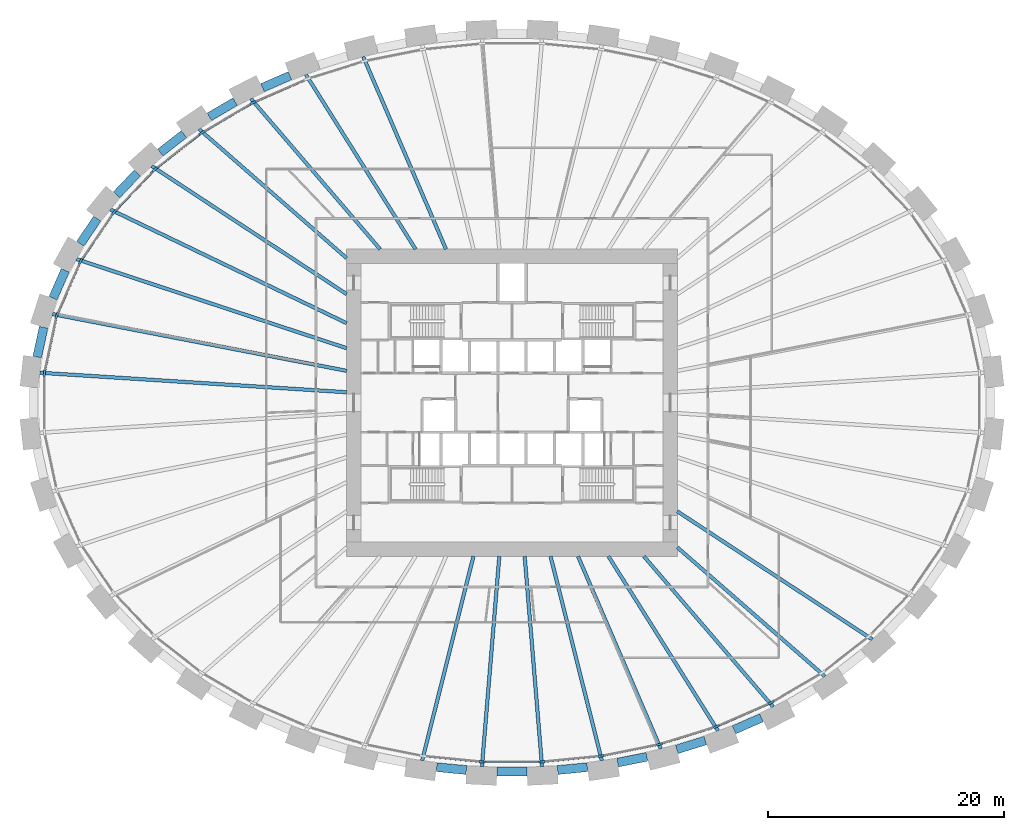
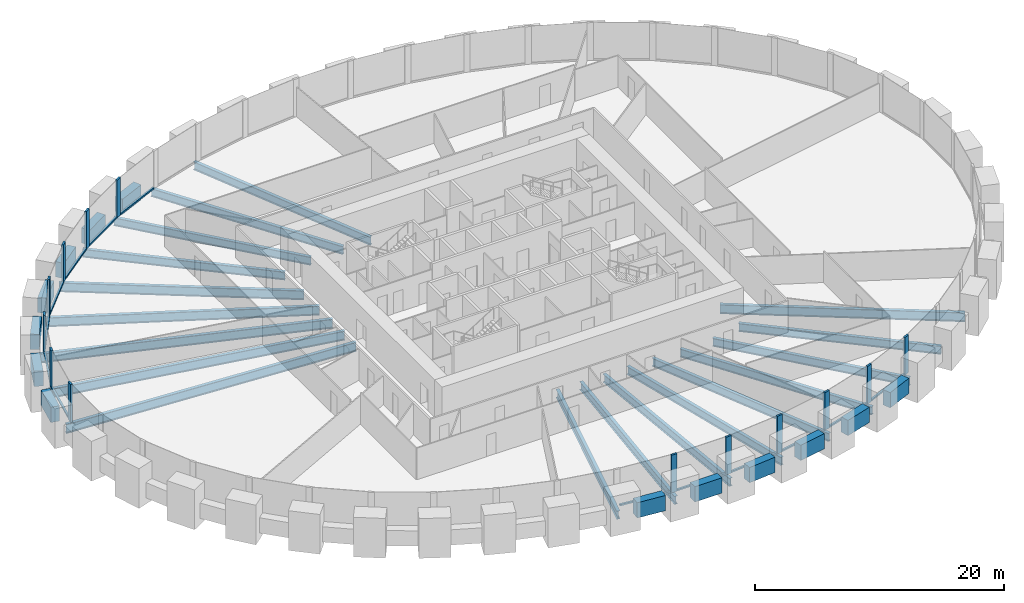
# One storey, part 2 of 11: 31 beams, 26 members, 1 element without a shape of its own.
"""IFC4 building model written with IfcOpenShell, lengths in metres."""

from ifc_helpers import new_model, si_unit, direction, frame, origin, origin_2d, place, context, subcontext, project, spatial, rectangle, i_section, extrude, source, transform, mapped, material, material_profile, profile_set, type_object, element, aggregate, save


model = new_model("IFC4")

# Units and contexts
model_context = context("Model", 3, precision=1e-05, world=origin(), true_north=direction((0.0, 1.0)))
body_context = subcontext(model_context, "Body", "Model", "MODEL_VIEW")
ifc_project = project(units=[si_unit("LENGTHUNIT", "METRE"), si_unit("AREAUNIT", "SQUARE_METRE"), si_unit("VOLUMEUNIT", "CUBIC_METRE"), si_unit("PLANEANGLEUNIT", "RADIAN"), si_unit("MASSUNIT", "GRAM", prefix="KILO")], contexts=[model_context])

# Site, building, storey
site_placement = place(None, origin())
site = spatial("IfcSite", under=ifc_project, at=site_placement, CompositionType="ELEMENT")
building_placement = place(site_placement, origin())
building = spatial("IfcBuilding", under=site, at=building_placement, Name="Embergate Tower", CompositionType="ELEMENT")
storey_placement = place(building_placement, frame((0.0, 0.0, 77.60009765625)))
storey = spatial("IfcBuildingStorey", under=building, at=storey_placement, Name="L15", CompositionType="ELEMENT", Elevation=77.60009765625)

# Beams
ifc_material_1 = material(Name="Concrete C70", Category="concrete")
ifc_material_profile_1 = material_profile(ifc_material_1, rectangle(XDim=0.75, YDim=1.5, at=origin_2d()), Name="RC 750x1500")
ifc_profile_set_1 = profile_set([ifc_material_profile_1], Name="Concrete C70")
beam_type_1 = type_object("IfcBeamType", Name="Spandrel beam RC 750x1500 C70", PredefinedType="BEAM", material=ifc_profile_set_1)
shared_shape_1 = source(origin(), body_context, "Body", "SweptSolid", [
    extrude(rectangle(XDim=0.75, YDim=1.5, at=origin_2d()), origin(), (0.0, 0.0, 1.0), 2.5498046875),
])
beam_1_placement = place(storey_placement, frame((-31.72509765625, 19.4541015625, 0.0), z_axis=(-0.689760361446, -0.724037736432, 0.0), x_axis=(0.724037736432, -0.689760361446, 0.0)))
element("IfcBeam", 1, at=beam_1_placement, inside=storey, type_object=beam_type_1, Name="SPN-L15-17", PredefinedType="BEAM", context=body_context, shape_type="MappedRepresentation", body=[
    mapped(shared_shape_1, transform((0.0, 0.0, 0.0))),
])
shared_shape_2 = source(origin(), body_context, "Body", "SweptSolid", [
    extrude(rectangle(XDim=0.75, YDim=1.5, at=origin_2d()), origin(), (0.0, 0.0, 1.0), 2.5693359375),
])
beam_2_placement = place(storey_placement, frame((-39.662109375, 6.383056640625, 0.0), z_axis=(-0.210093623492, -0.977681271871, 0.0), x_axis=(0.977681271871, -0.210093623492, 0.0)))
element("IfcBeam", 2, at=beam_2_placement, inside=storey, type_object=beam_type_1, Name="SPN-L15-20", PredefinedType="BEAM", context=body_context, shape_type="MappedRepresentation", body=[
    mapped(shared_shape_2, transform((0.0, 0.0, 0.0))),
])
shared_shape_3 = source(origin(), body_context, "Body", "SweptSolid", [
    extrude(rectangle(XDim=0.75, YDim=1.5, at=origin_2d()), origin(), (0.0, 0.0, 1.0), 2.56591796875),
])
beam_3_placement = place(storey_placement, frame((-37.83203125, 11.20703125, 0.0), z_axis=(-0.401427690069, -0.915890719271, 0.0), x_axis=(0.915890719271, -0.401427690069, 0.0)))
element("IfcBeam", 3, at=beam_3_placement, inside=storey, type_object=beam_type_1, Name="SPN-L15-19", PredefinedType="BEAM", context=body_context, shape_type="MappedRepresentation", body=[
    mapped(shared_shape_3, transform((0.0, 0.0, 0.0))),
])
shared_shape_4 = source(origin(), body_context, "Body", "SweptSolid", [
    extrude(rectangle(XDim=0.75, YDim=1.5, at=origin_2d()), origin(), (0.0, 0.0, 1.0), 2.556640625),
])
beam_4_placement = place(storey_placement, frame((-35.117919921875, 15.5859375, 0.0), z_axis=(-0.562432772417, -0.826843018058, 0.0), x_axis=(0.826843018058, -0.562432772417, 0.0)))
element("IfcBeam", 4, at=beam_4_placement, inside=storey, type_object=beam_type_1, Name="SPN-L15-18", PredefinedType="BEAM", context=body_context, shape_type="MappedRepresentation", body=[
    mapped(shared_shape_4, transform((0.0, 0.0, 0.0))),
])
shared_shape_5 = source(origin(), body_context, "Body", "SweptSolid", [
    extrude(rectangle(XDim=0.75, YDim=1.5, at=origin_2d()), origin(), (0.0, 0.0, 1.0), 2.542724609375),
])
beam_5_placement = place(storey_placement, frame((-27.779052734375, 22.748046875, 0.0), z_axis=(-0.788472504965, -0.615070003264, 0.0), x_axis=(0.615070003264, -0.788472504965, 0.0)))
element("IfcBeam", 5, at=beam_5_placement, inside=storey, type_object=beam_type_1, Name="SPN-L15-16", PredefinedType="BEAM", context=body_context, shape_type="MappedRepresentation", body=[
    mapped(shared_shape_5, transform((0.0, 0.0, 0.0))),
])
shared_shape_6 = source(origin(), body_context, "Body", "SweptSolid", [
    extrude(rectangle(XDim=0.75, YDim=1.5, at=origin_2d()), origin(), (0.0, 0.0, 1.0), 2.537109375),
])
beam_6_placement = place(storey_placement, frame((-23.44189453125, 25.49609375, 0.0), z_axis=(-0.861993577549, -0.506919196978, 0.0), x_axis=(0.506919196978, -0.861993577549, 0.0)))
element("IfcBeam", 6, at=beam_6_placement, inside=storey, type_object=beam_type_1, Name="SPN-L15-15", PredefinedType="BEAM", context=body_context, shape_type="MappedRepresentation", body=[
    mapped(shared_shape_6, transform((0.0, 0.0, 0.0))),
])
shared_shape_7 = source(origin(), body_context, "Body", "SweptSolid", [
    extrude(rectangle(XDim=0.75, YDim=1.5, at=origin_2d()), origin(), (0.0, 0.0, 1.0), 2.53466796875),
])
for number, where, z_axis, x_axis, name in (
    (7, (-18.803955078125, 27.694091796875, 0.0), (-0.91612417153, -0.400894627474, 0.0), (0.400894627474, -0.91612417153, 0.0), "SPN-L15-14"),
    (8, (18.803955078125, -27.694091796875, 0.0), (0.91612417153, 0.400894627474, 0.0), (-0.400894627474, 0.91612417153, 0.0), "SPN-L15-36"),
):
    element("IfcBeam", number, at=place(storey_placement, frame(where, z_axis=z_axis, x_axis=x_axis)), inside=storey, type_object=beam_type_1, Name=name, PredefinedType="BEAM", context=body_context, shape_type="MappedRepresentation", body=[
        mapped(shared_shape_7, transform((0.0, 0.0, 0.0))),
    ])
shared_shape_8 = source(origin(), body_context, "Body", "SweptSolid", [
    extrude(rectangle(XDim=0.75, YDim=1.5, at=origin_2d()), origin(), (0.0, 0.0, 1.0), 2.5322265625),
])
beam_7_placement = place(storey_placement, frame((13.949951171875, -29.35498046875, 0.0), z_axis=(0.954890803875, 0.296957156294, 0.0), x_axis=(-0.296957156294, 0.954890803875, 0.0)))
element("IfcBeam", 9, at=beam_7_placement, inside=storey, type_object=beam_type_1, Name="SPN-L15-35", PredefinedType="BEAM", context=body_context, shape_type="MappedRepresentation", body=[
    mapped(shared_shape_8, transform((0.0, 0.0, 0.0))),
])
shared_shape_9 = source(origin(), body_context, "Body", "SweptSolid", [
    extrude(rectangle(XDim=0.75, YDim=1.5, at=origin_2d()), origin(), (0.0, 0.0, 1.0), 2.5283203125),
])
beam_8_placement = place(storey_placement, frame((8.947021484375, -30.47607421875, 0.0), z_axis=(0.980483995477, 0.19659891814, 0.0), x_axis=(-0.19659891814, 0.980483995477, 0.0)))
element("IfcBeam", 10, at=beam_8_placement, inside=storey, type_object=beam_type_1, Name="SPN-L15-34", PredefinedType="BEAM", context=body_context, shape_type="MappedRepresentation", body=[
    mapped(shared_shape_9, transform((0.0, 0.0, 0.0))),
])
shared_shape_10 = source(origin(), body_context, "Body", "SweptSolid", [
    extrude(rectangle(XDim=0.75, YDim=1.5, at=origin_2d()), origin(), (0.0, 0.0, 1.0), 2.52685546875),
])
for number, where, z_axis, x_axis, name in (
    (11, (-6.3759765625, -30.860107421875, 0.0), (0.995218218031, -0.097676499217, 0.0), (0.097676499217, 0.995218218031, 0.0), "SPN-L15-31"),
    (12, (3.861083984375, -31.10693359375, 0.0), (0.995218218031, 0.097676499217, 0.0), (-0.097676499217, 0.995218218031, 0.0), "SPN-L15-33"),
):
    element("IfcBeam", number, at=place(storey_placement, frame(where, z_axis=z_axis, x_axis=x_axis)), inside=storey, type_object=beam_type_1, Name=name, PredefinedType="BEAM", context=body_context, shape_type="MappedRepresentation", body=[
        mapped(shared_shape_10, transform((0.0, 0.0, 0.0))),
    ])
shared_shape_11 = source(origin(), body_context, "Body", "SweptSolid", [
    extrude(rectangle(XDim=0.75, YDim=1.5, at=origin_2d()), origin(), (0.0, 0.0, 1.0), 2.52783203125),
])
beam_9_placement = place(storey_placement, frame((-1.263916015625, -31.23388671875, 0.0), z_axis=(1.0, 0.0, 0.0), x_axis=(0.0, 1.0, 0.0)))
element("IfcBeam", 13, at=beam_9_placement, inside=storey, type_object=beam_type_1, Name="SPN-L15-32", PredefinedType="BEAM", context=body_context, shape_type="MappedRepresentation", body=[
    mapped(shared_shape_11, transform((0.0, 0.0, 0.0))),
])
ifc_material_2 = material(Name="Steel Q355B", Category="steel")
ifc_material_profile_2 = material_profile(ifc_material_2, i_section(OverallWidth=0.300048828125, OverallDepth=0.89990234375, WebThickness=0.01611328125, FlangeThickness=0.028076171875, FilletRadius=0.028076171875, at=origin_2d()), Name="HN 900x300x16x28")
ifc_profile_set_2 = profile_set([ifc_material_profile_2], Name="Steel Q355 grade B")
beam_type_2 = type_object("IfcBeamType", Name="Radial girder HN 900x300x16x28", PredefinedType="BEAM", material=ifc_profile_set_2)
shared_shape_12 = source(origin(), body_context, "Body", "SweptSolid", [
    extrude(i_section(OverallWidth=0.300048828125, OverallDepth=0.89990234375, WebThickness=0.01611328125, FlangeThickness=0.028076171875, FilletRadius=0.028076171875, at=origin_2d()), origin(), (0.0, 0.0, 1.0), 26.034423828125),
])
beam_10_placement = place(storey_placement, frame((-39.98193359375, 2.5400390625, -0.650146484375), z_axis=(0.997986864702, -0.063420957753, 0.0), x_axis=(0.063420957753, 0.997986864702, 0.0)))
element("IfcBeam", 14, at=beam_10_placement, inside=storey, type_object=beam_type_2, Name="GIR-L15-21", PredefinedType="BEAM", context=body_context, shape_type="MappedRepresentation", body=[
    mapped(shared_shape_12, transform((0.0, 0.0, 0.0))),
])
shared_shape_13 = source(origin(), body_context, "Body", "SweptSolid", [
    extrude(i_section(OverallWidth=0.300048828125, OverallDepth=0.89990234375, WebThickness=0.01611328125, FlangeThickness=0.028076171875, FilletRadius=0.028076171875, at=origin_2d()), origin(), (0.0, 0.0, 1.0), 25.373291015625),
])
beam_11_placement = place(storey_placement, frame((-38.9140625, 7.507080078125, -0.650146484375), z_axis=(0.981896748495, -0.189416935078, 0.0), x_axis=(0.189416935078, 0.981896748495, 0.0)))
element("IfcBeam", 15, at=beam_11_placement, inside=storey, type_object=beam_type_2, Name="GIR-L15-20", PredefinedType="BEAM", context=body_context, shape_type="MappedRepresentation", body=[
    mapped(shared_shape_13, transform((0.0, 0.0, 0.0))),
])
shared_shape_14 = source(origin(), body_context, "Body", "SweptSolid", [
    extrude(i_section(OverallWidth=0.300048828125, OverallDepth=0.89990234375, WebThickness=0.01611328125, FlangeThickness=0.028076171875, FilletRadius=0.028076171875, at=origin_2d()), origin(), (0.0, 0.0, 1.0), 24.0849609375),
])
beam_12_placement = place(storey_placement, frame((-36.873046875, 12.160888671875, -0.650146484375), z_axis=(0.949680038857, -0.313221684748, 0.0), x_axis=(0.313221684748, 0.949680038857, 0.0)))
element("IfcBeam", 16, at=beam_12_placement, inside=storey, type_object=beam_type_2, Name="GIR-L15-19", PredefinedType="BEAM", context=body_context, shape_type="MappedRepresentation", body=[
    mapped(shared_shape_14, transform((0.0, 0.0, 0.0))),
])
shared_shape_15 = source(origin(), body_context, "Body", "SweptSolid", [
    extrude(i_section(OverallWidth=0.300048828125, OverallDepth=0.89990234375, WebThickness=0.01611328125, FlangeThickness=0.028076171875, FilletRadius=0.028076171875, at=origin_2d()), origin(), (0.0, 0.0, 1.0), 22.210693359375),
])
beam_13_placement = place(storey_placement, frame((-34.014892578125, 16.364013671875, -0.650146484375), z_axis=(0.90114054222, -0.433527073165, 0.0), x_axis=(0.433527073165, 0.90114054222, 0.0)))
element("IfcBeam", 17, at=beam_13_placement, inside=storey, type_object=beam_type_2, Name="GIR-L15-18", PredefinedType="BEAM", context=body_context, shape_type="MappedRepresentation", body=[
    mapped(shared_shape_15, transform((0.0, 0.0, 0.0))),
])
shared_shape_16 = source(origin(), body_context, "Body", "SweptSolid", [
    extrude(i_section(OverallWidth=0.300048828125, OverallDepth=0.89990234375, WebThickness=0.01611328125, FlangeThickness=0.028076171875, FilletRadius=0.028076171875, at=origin_2d()), origin(), (0.0, 0.0, 1.0), 19.75),
])
for number, where, z_axis, x_axis, name in (
    (18, (-30.506103515625, 20.04296875, -0.650146484375), (0.835749566876, -0.549110791614, 0.0), (0.549110791614, 0.835749566876, 0.0), "GIR-L15-17"),
    (19, (30.506103515625, -20.04296875, -0.650146484375), (-0.835749566876, 0.549110791614, 0.0), (-0.549110791614, -0.835749566876, 0.0), "GIR-L15-39"),
):
    element("IfcBeam", number, at=place(storey_placement, frame(where, z_axis=z_axis, x_axis=x_axis)), inside=storey, type_object=beam_type_2, Name=name, PredefinedType="BEAM", context=body_context, shape_type="MappedRepresentation", body=[
        mapped(shared_shape_16, transform((0.0, 0.0, 0.0))),
    ])
ifc_material_profile_3 = material_profile(ifc_material_2, i_section(OverallWidth=0.300048828125, OverallDepth=0.800048828125, WebThickness=0.013916015625, FlangeThickness=0.02587890625, FilletRadius=0.028076171875, at=origin_2d()), Name="HN 800x300x14x26")
ifc_profile_set_3 = profile_set([ifc_material_profile_3], Name="Steel Q355 grade B")
beam_type_3 = type_object("IfcBeamType", Name="Radial girder HN 800x300x14x26", PredefinedType="BEAM", material=ifc_profile_set_3)
shared_shape_17 = source(origin(), body_context, "Body", "SweptSolid", [
    extrude(i_section(OverallWidth=0.300048828125, OverallDepth=0.800048828125, WebThickness=0.013916015625, FlangeThickness=0.02587890625, FilletRadius=0.028076171875, at=origin_2d()), origin(), (0.0, 0.0, 1.0), 16.60205078125),
])
for number, where, z_axis, x_axis, name in (
    (20, (-26.4970703125, 23.172119140625, -0.60009765625), (0.752747930404, -0.65830885857, 0.0), (0.65830885857, 0.752747930404, 0.0), "GIR-L15-16"),
    (21, (26.4970703125, -23.172119140625, -0.60009765625), (-0.752747930404, 0.65830885857, 0.0), (-0.65830885857, -0.752747930404, 0.0), "GIR-L15-38"),
):
    element("IfcBeam", number, at=place(storey_placement, frame(where, z_axis=z_axis, x_axis=x_axis)), inside=storey, type_object=beam_type_3, Name=name, PredefinedType="BEAM", context=body_context, shape_type="MappedRepresentation", body=[
        mapped(shared_shape_17, transform((0.0, 0.0, 0.0))),
    ])
shared_shape_18 = source(origin(), body_context, "Body", "SweptSolid", [
    extrude(i_section(OverallWidth=0.300048828125, OverallDepth=0.800048828125, WebThickness=0.013916015625, FlangeThickness=0.02587890625, FilletRadius=0.028076171875, at=origin_2d()), origin(), (0.0, 0.0, 1.0), 16.805908203125),
])
for number, where, z_axis, x_axis, name in (
    (22, (-22.113037109375, 25.75, -0.60009765625), (0.651490955051, -0.758656401467, 0.0), (0.758656401467, 0.651490955051, 0.0), "GIR-L15-15"),
    (23, (22.113037109375, -25.75, -0.60009765625), (-0.651490955051, 0.758656401467, 0.0), (-0.758656401467, -0.651490955051, 0.0), "GIR-L15-37"),
):
    element("IfcBeam", number, at=place(storey_placement, frame(where, z_axis=z_axis, x_axis=x_axis)), inside=storey, type_object=beam_type_3, Name=name, PredefinedType="BEAM", context=body_context, shape_type="MappedRepresentation", body=[
        mapped(shared_shape_18, transform((0.0, 0.0, 0.0))),
    ])
shared_shape_19 = source(origin(), body_context, "Body", "SweptSolid", [
    extrude(i_section(OverallWidth=0.300048828125, OverallDepth=0.800048828125, WebThickness=0.013916015625, FlangeThickness=0.02587890625, FilletRadius=0.028076171875, at=origin_2d()), origin(), (0.0, 0.0, 1.0), 17.463623046875),
])
for number, where, z_axis, x_axis, name in (
    (24, (-17.451904296875, 27.7890625, -0.60009765625), (0.531837384954, -0.846846500828, 0.0), (0.846846500828, 0.531837384954, 0.0), "GIR-L15-14"),
    (25, (17.451904296875, -27.7890625, -0.60009765625), (-0.531837384954, 0.846846500828, 0.0), (-0.846846500828, -0.531837384954, 0.0), "GIR-L15-36"),
):
    element("IfcBeam", number, at=place(storey_placement, frame(where, z_axis=z_axis, x_axis=x_axis)), inside=storey, type_object=beam_type_3, Name=name, PredefinedType="BEAM", context=body_context, shape_type="MappedRepresentation", body=[
        mapped(shared_shape_19, transform((0.0, 0.0, 0.0))),
    ])
shared_shape_20 = source(origin(), body_context, "Body", "SweptSolid", [
    extrude(i_section(OverallWidth=0.300048828125, OverallDepth=0.800048828125, WebThickness=0.013916015625, FlangeThickness=0.02587890625, FilletRadius=0.028076171875, at=origin_2d()), origin(), (0.0, 0.0, 1.0), 17.7431640625),
])
for number, where, z_axis, x_axis, name in (
    (26, (-12.594970703125, 29.301025390625, -0.60009765625), (0.394915454917, -0.918717466617, 0.0), (0.918717466617, 0.394915454917, 0.0), "GIR-L15-13"),
    (27, (12.594970703125, -29.301025390625, -0.60009765625), (-0.394915454917, 0.918717466617, 0.0), (-0.918717466617, -0.394915454917, 0.0), "GIR-L15-35"),
):
    element("IfcBeam", number, at=place(storey_placement, frame(where, z_axis=z_axis, x_axis=x_axis)), inside=storey, type_object=beam_type_3, Name=name, PredefinedType="BEAM", context=body_context, shape_type="MappedRepresentation", body=[
        mapped(shared_shape_20, transform((0.0, 0.0, 0.0))),
    ])
shared_shape_21 = source(origin(), body_context, "Body", "SweptSolid", [
    extrude(i_section(OverallWidth=0.300048828125, OverallDepth=0.800048828125, WebThickness=0.013916015625, FlangeThickness=0.02587890625, FilletRadius=0.028076171875, at=origin_2d()), origin(), (0.0, 0.0, 1.0), 17.837890625),
])
for number, where, z_axis, x_axis, name in (
    (28, (-7.60693359375, -30.301025390625, -0.60009765625), (0.243472648056, 0.969907763475, 0.0), (-0.969907763475, 0.243472648056, 0.0), "GIR-L15-31"),
    (29, (7.60693359375, -30.301025390625, -0.60009765625), (-0.243472648056, 0.969907763475, 0.0), (-0.969907763475, -0.243472648056, 0.0), "GIR-L15-34"),
):
    element("IfcBeam", number, at=place(storey_placement, frame(where, z_axis=z_axis, x_axis=x_axis)), inside=storey, type_object=beam_type_3, Name=name, PredefinedType="BEAM", context=body_context, shape_type="MappedRepresentation", body=[
        mapped(shared_shape_21, transform((0.0, 0.0, 0.0))),
    ])
shared_shape_22 = source(origin(), body_context, "Body", "SweptSolid", [
    extrude(i_section(OverallWidth=0.300048828125, OverallDepth=0.800048828125, WebThickness=0.013916015625, FlangeThickness=0.02587890625, FilletRadius=0.028076171875, at=origin_2d()), origin(), (0.0, 0.0, 1.0), 17.859619140625),
])
for number, where, z_axis, x_axis, name in (
    (30, (-2.5439453125, -30.799072265625, -0.60009765625), (0.082306714571, 0.996607046301, 0.0), (-0.996607046301, 0.082306714571, 0.0), "GIR-L15-32"),
    (31, (2.5439453125, -30.799072265625, -0.60009765625), (-0.082306714571, 0.996607046301, 0.0), (-0.996607046301, -0.082306714571, 0.0), "GIR-L15-33"),
):
    element("IfcBeam", number, at=place(storey_placement, frame(where, z_axis=z_axis, x_axis=x_axis)), inside=storey, type_object=beam_type_3, Name=name, PredefinedType="BEAM", context=body_context, shape_type="MappedRepresentation", body=[
        mapped(shared_shape_22, transform((0.0, 0.0, 0.0))),
    ])

# Curtain wall, members
ifc_material_3 = material(Name="Aluminium and glass", Category="aluminium")
curtain_wall_type = type_object("IfcCurtainWallType", Name="Recessed office glazing", PredefinedType="NOTDEFINED", material=ifc_material_3)
curtain_wall_placement = place(storey_placement, origin())
curtain_wall = element("IfcCurtainWall", 32, at=curtain_wall_placement, inside=storey, type_object=curtain_wall_type, Name="Recessed office glazing ring", ObjectType="RECESSED OFFICE GLAZING", PredefinedType="USERDEFINED")
ifc_material_4 = material(Name="Aluminium, thermally broken", Category="aluminium")
ifc_material_profile_4 = material_profile(ifc_material_4, rectangle(XDim=0.179931640625, YDim=0.52001953125, at=origin_2d()), Name="AL 520x180")
ifc_profile_set_4 = profile_set([ifc_material_profile_4], Name="Aluminium, thermally broken")
member_type_1 = type_object("IfcMemberType", Name="Office mullion", PredefinedType="MULLION", material=ifc_profile_set_4)
shared_shape_23 = source(origin(), body_context, "Body", "SweptSolid", [
    extrude(rectangle(XDim=0.179931640625, YDim=0.52001953125, at=origin_2d()), origin(), (0.0, 0.0, 1.0), 3.699951171875),
])
member_1_placement = place(storey_placement, frame((-21.935791015625, 25.402587890625, 0.0), z_axis=(0.0, 0.0, 1.0), x_axis=(0.454516044429, -0.890738550506, 0.0)))
member_1 = element("IfcMember", 33, at=member_1_placement, type_object=member_type_1, Name="CW mullion 16", PredefinedType="MULLION", context=body_context, shape_type="MappedRepresentation", body=[
    mapped(shared_shape_23, transform((0.0, 0.0, 0.0))),
])
member_2_placement = place(storey_placement, frame((-26.278564453125, 22.849365234375, 0.0), z_axis=(0.0, 0.0, 1.0), x_axis=(0.562223392005, -0.826985403428, 0.0)))
member_2 = element("IfcMember", 34, at=member_2_placement, type_object=member_type_1, Name="CW mullion 17", PredefinedType="MULLION", context=body_context, shape_type="MappedRepresentation", body=[
    mapped(shared_shape_23, transform((0.0, 0.0, 0.0))),
])
member_3_placement = place(storey_placement, frame((-30.2451171875, 19.75341796875, 0.0), z_axis=(0.0, 0.0, 1.0), x_axis=(0.671234296295, -0.74124524921, 0.0)))
member_3 = element("IfcMember", 35, at=member_3_placement, type_object=member_type_1, Name="CW mullion 18", PredefinedType="MULLION", context=body_context, shape_type="MappedRepresentation", body=[
    mapped(shared_shape_23, transform((0.0, 0.0, 0.0))),
])
member_4_placement = place(storey_placement, frame((-33.712158203125, 16.11767578125, 0.0), z_axis=(0.0, 0.0, 1.0), x_axis=(0.777880241921, -0.628412547002, 0.0)))
member_4 = element("IfcMember", 36, at=member_4_placement, type_object=member_type_1, Name="CW mullion 19", PredefinedType="MULLION", context=body_context, shape_type="MappedRepresentation", body=[
    mapped(shared_shape_23, transform((0.0, 0.0, 0.0))),
])
member_5_placement = place(storey_placement, frame((-36.532470703125, 11.970458984375, 0.0), z_axis=(0.0, 0.0, 1.0), x_axis=(0.875007810402, -0.484108801547, 0.0)))
member_5 = element("IfcMember", 37, at=member_5_placement, type_object=member_type_1, Name="CW mullion 20", PredefinedType="MULLION", context=body_context, shape_type="MappedRepresentation", body=[
    mapped(shared_shape_23, transform((0.0, 0.0, 0.0))),
])
member_6_placement = place(storey_placement, frame((-38.543212890625, 7.3857421875, 0.0), z_axis=(0.0, 0.0, 1.0), x_axis=(0.951501019702, -0.307645590748, 0.0)))
member_6 = element("IfcMember", 38, at=member_6_placement, type_object=member_type_1, Name="CW mullion 21", PredefinedType="MULLION", context=body_context, shape_type="MappedRepresentation", body=[
    mapped(shared_shape_23, transform((0.0, 0.0, 0.0))),
])
member_7_placement = place(storey_placement, frame((-39.59521484375, 2.498291015625, 0.0), z_axis=(0.0, 0.0, 1.0), x_axis=(0.994385324123, -0.105819786286, 0.0)))
member_7 = element("IfcMember", 39, at=member_7_placement, type_object=member_type_1, Name="CW mullion 22", PredefinedType="MULLION", context=body_context, shape_type="MappedRepresentation", body=[
    mapped(shared_shape_23, transform((0.0, 0.0, 0.0))),
])
member_8_placement = place(storey_placement, frame((-2.524658203125, -30.409423828125, 0.0), z_axis=(0.0, 0.0, 1.0), x_axis=(0.048971796621, 0.998800161762, 0.0)))
member_8 = element("IfcMember", 40, at=member_8_placement, type_object=member_type_1, Name="CW mullion 33", PredefinedType="MULLION", context=body_context, shape_type="MappedRepresentation", body=[
    mapped(shared_shape_23, transform((0.0, 0.0, 0.0))),
])
member_9_placement = place(storey_placement, frame((2.524658203125, -30.409423828125, 0.0), z_axis=(0.0, 0.0, 1.0), x_axis=(-0.048971796621, 0.998800161762, 0.0)))
member_9 = element("IfcMember", 41, at=member_9_placement, type_object=member_type_1, Name="CW mullion 34", PredefinedType="MULLION", context=body_context, shape_type="MappedRepresentation", body=[
    mapped(shared_shape_23, transform((0.0, 0.0, 0.0))),
])
member_10_placement = place(storey_placement, frame((7.549560546875, -29.915283203125, 0.0), z_axis=(0.0, 0.0, 1.0), x_axis=(-0.14741410908, 0.98907486089, 0.0)))
member_10 = element("IfcMember", 42, at=member_10_placement, type_object=member_type_1, Name="CW mullion 35", PredefinedType="MULLION", context=body_context, shape_type="MappedRepresentation", body=[
    mapped(shared_shape_23, transform((0.0, 0.0, 0.0))),
])
member_11_placement = place(storey_placement, frame((12.498779296875, -28.9228515625, 0.0), z_axis=(0.0, 0.0, 1.0), x_axis=(-0.247315263593, 0.968935065107, 0.0)))
member_11 = element("IfcMember", 43, at=member_11_placement, type_object=member_type_1, Name="CW mullion 36", PredefinedType="MULLION", context=body_context, shape_type="MappedRepresentation", body=[
    mapped(shared_shape_23, transform((0.0, 0.0, 0.0))),
])
member_12_placement = place(storey_placement, frame((17.31591796875, -27.422607421875, 0.0), z_axis=(0.0, 0.0, 1.0), x_axis=(-0.349507588628, 0.936933533124, 0.0)))
member_12 = element("IfcMember", 44, at=member_12_placement, type_object=member_type_1, Name="CW mullion 37", PredefinedType="MULLION", context=body_context, shape_type="MappedRepresentation", body=[
    mapped(shared_shape_23, transform((0.0, 0.0, 0.0))),
])
member_13_placement = place(storey_placement, frame((21.935791015625, -25.402587890625, 0.0), z_axis=(0.0, 0.0, 1.0), x_axis=(-0.454516044429, 0.890738550506, 0.0)))
member_13 = element("IfcMember", 45, at=member_13_placement, type_object=member_type_1, Name="CW mullion 38", PredefinedType="MULLION", context=body_context, shape_type="MappedRepresentation", body=[
    mapped(shared_shape_23, transform((0.0, 0.0, 0.0))),
])
ifc_material_profile_5 = material_profile(ifc_material_4, rectangle(XDim=0.179931640625, YDim=0.14990234375, at=origin_2d()), Name="AL 150x180")
ifc_profile_set_5 = profile_set([ifc_material_profile_5], Name="Aluminium, thermally broken")
member_type_2 = type_object("IfcMemberType", Name="Office sill transom", PredefinedType="USERDEFINED", material=ifc_profile_set_5)
shared_shape_24 = source(origin(), body_context, "Body", "SweptSolid", [
    extrude(rectangle(XDim=0.179931640625, YDim=0.14990234375, at=origin_2d()), origin(), (0.0, 0.0, 1.0), 4.50390625),
])
member_14_placement = place(storey_placement, frame((-30.42431640625, 19.565185546875, 0.074951171875), z_axis=(-0.69015852771, -0.723658211194, 0.0), x_axis=(0.723658211194, -0.69015852771, 0.0)))
member_14 = element("IfcMember", 46, at=member_14_placement, type_object=member_type_2, Name="CW transom 18.1", ObjectType="TRANSOM", PredefinedType="USERDEFINED", context=body_context, shape_type="MappedRepresentation", body=[
    mapped(shared_shape_24, transform((0.0, 0.0, 0.0))),
])
shared_shape_25 = source(origin(), body_context, "Body", "SweptSolid", [
    extrude(rectangle(XDim=0.179931640625, YDim=0.14990234375, at=origin_2d()), origin(), (0.0, 0.0, 1.0), 4.4794921875),
])
member_15_placement = place(storey_placement, frame((-38.597900390625, 7.131591796875, 0.074951171875), z_axis=(-0.210381382065, -0.977619391216, 0.0), x_axis=(0.977619391216, -0.210381382065, 0.0)))
member_15 = element("IfcMember", 47, at=member_15_placement, type_object=member_type_2, Name="CW transom 21.1", ObjectType="TRANSOM", PredefinedType="USERDEFINED", context=body_context, shape_type="MappedRepresentation", body=[
    mapped(shared_shape_25, transform((0.0, 0.0, 0.0))),
])
shared_shape_26 = source(origin(), body_context, "Body", "SweptSolid", [
    extrude(rectangle(XDim=0.179931640625, YDim=0.14990234375, at=origin_2d()), origin(), (0.0, 0.0, 1.0), 4.486328125),
])
member_16_placement = place(storey_placement, frame((-36.636962890625, 11.732421875, 0.074951171875), z_axis=(-0.401655089719, -0.915791018138, 0.0), x_axis=(0.915791018138, -0.401655089719, 0.0)))
member_16 = element("IfcMember", 48, at=member_16_placement, type_object=member_type_2, Name="CW transom 20.1", ObjectType="TRANSOM", PredefinedType="USERDEFINED", context=body_context, shape_type="MappedRepresentation", body=[
    mapped(shared_shape_26, transform((0.0, 0.0, 0.0))),
])
shared_shape_27 = source(origin(), body_context, "Body", "SweptSolid", [
    extrude(rectangle(XDim=0.179931640625, YDim=0.14990234375, at=origin_2d()), origin(), (0.0, 0.0, 1.0), 4.4951171875),
])
member_17_placement = place(storey_placement, frame((-33.8583984375, 15.902587890625, 0.074951171875), z_axis=(-0.562347159837, -0.826901246718, 0.0), x_axis=(0.826901246718, -0.562347159837, 0.0)))
member_17 = element("IfcMember", 49, at=member_17_placement, type_object=member_type_2, Name="CW transom 19.1", ObjectType="TRANSOM", PredefinedType="USERDEFINED", context=body_context, shape_type="MappedRepresentation", body=[
    mapped(shared_shape_27, transform((0.0, 0.0, 0.0))),
])
shared_shape_28 = source(origin(), body_context, "Body", "SweptSolid", [
    extrude(rectangle(XDim=0.179931640625, YDim=0.14990234375, at=origin_2d()), origin(), (0.0, 0.0, 1.0), 4.511474609375),
])
member_18_placement = place(storey_placement, frame((-26.4833984375, 22.689208984375, 0.074951171875), z_axis=(-0.788345870827, -0.615232304052, 0.0), x_axis=(0.615232304052, -0.788345870827, 0.0)))
member_18 = element("IfcMember", 50, at=member_18_placement, type_object=member_type_2, Name="CW transom 17.1", ObjectType="TRANSOM", PredefinedType="USERDEFINED", context=body_context, shape_type="MappedRepresentation", body=[
    mapped(shared_shape_28, transform((0.0, 0.0, 0.0))),
])
shared_shape_29 = source(origin(), body_context, "Body", "SweptSolid", [
    extrude(rectangle(XDim=0.179931640625, YDim=0.14990234375, at=origin_2d()), origin(), (0.0, 0.0, 1.0), 4.517578125),
])
member_19_placement = place(storey_placement, frame((-22.159912109375, 25.270751953125, 0.074951171875), z_axis=(-0.862064774491, -0.506798110279, 0.0), x_axis=(0.506798110279, -0.862064774491, 0.0)))
member_19 = element("IfcMember", 51, at=member_19_placement, type_object=member_type_2, Name="CW transom 16.1", ObjectType="TRANSOM", PredefinedType="USERDEFINED", context=body_context, shape_type="MappedRepresentation", body=[
    mapped(shared_shape_29, transform((0.0, 0.0, 0.0))),
])
shared_shape_30 = source(origin(), body_context, "Body", "SweptSolid", [
    extrude(rectangle(XDim=0.179931640625, YDim=0.14990234375, at=origin_2d()), origin(), (0.0, 0.0, 1.0), 4.522216796875),
])
member_20_placement = place(storey_placement, frame((-17.55419921875, 27.318359375, 0.074951171875), z_axis=(-0.916232902024, -0.400646064812, 0.0), x_axis=(0.400646064812, -0.916232902024, 0.0)))
member_20 = element("IfcMember", 52, at=member_20_placement, type_object=member_type_2, Name="CW transom 15.1", ObjectType="TRANSOM", PredefinedType="USERDEFINED", context=body_context, shape_type="MappedRepresentation", body=[
    mapped(shared_shape_30, transform((0.0, 0.0, 0.0))),
])
member_21_placement = place(storey_placement, frame((17.55419921875, -27.318359375, 0.074951171875), z_axis=(0.916232902024, 0.400646064812, 0.0), x_axis=(-0.400646064812, 0.916232902024, 0.0)))
member_21 = element("IfcMember", 53, at=member_21_placement, type_object=member_type_2, Name="CW transom 37.1", ObjectType="TRANSOM", PredefinedType="USERDEFINED", context=body_context, shape_type="MappedRepresentation", body=[
    mapped(shared_shape_30, transform((0.0, 0.0, 0.0))),
])
shared_shape_31 = source(origin(), body_context, "Body", "SweptSolid", [
    extrude(rectangle(XDim=0.179931640625, YDim=0.14990234375, at=origin_2d()), origin(), (0.0, 0.0, 1.0), 4.525390625),
])
member_22_placement = place(storey_placement, frame((12.746826171875, -28.845458984375, 0.074951171875), z_axis=(0.954780911234, 0.297310295051, 0.0), x_axis=(-0.297310295051, 0.954780911234, 0.0)))
member_22 = element("IfcMember", 54, at=member_22_placement, type_object=member_type_2, Name="CW transom 36.1", ObjectType="TRANSOM", PredefinedType="USERDEFINED", context=body_context, shape_type="MappedRepresentation", body=[
    mapped(shared_shape_31, transform((0.0, 0.0, 0.0))),
])
shared_shape_32 = source(origin(), body_context, "Body", "SweptSolid", [
    extrude(rectangle(XDim=0.179931640625, YDim=0.14990234375, at=origin_2d()), origin(), (0.0, 0.0, 1.0), 4.52783203125),
])
member_23_placement = place(storey_placement, frame((7.804443359375, -29.8642578125, 0.074951171875), z_axis=(0.980485162379, 0.19659309844, 0.0), x_axis=(-0.19659309844, 0.980485162379, 0.0)))
member_23 = element("IfcMember", 55, at=member_23_placement, type_object=member_type_2, Name="CW transom 35.1", ObjectType="TRANSOM", PredefinedType="USERDEFINED", context=body_context, shape_type="MappedRepresentation", body=[
    mapped(shared_shape_32, transform((0.0, 0.0, 0.0))),
])
shared_shape_33 = source(origin(), body_context, "Body", "SweptSolid", [
    extrude(rectangle(XDim=0.179931640625, YDim=0.14990234375, at=origin_2d()), origin(), (0.0, 0.0, 1.0), 4.529052734375),
])
member_24_placement = place(storey_placement, frame((-7.290771484375, -29.94091796875, 0.074951171875), z_axis=(0.995207563955, -0.09778499193, 0.0), x_axis=(0.09778499193, 0.995207563955, 0.0)))
member_24 = element("IfcMember", 56, at=member_24_placement, type_object=member_type_2, Name="CW transom 32.1", ObjectType="TRANSOM", PredefinedType="USERDEFINED", context=body_context, shape_type="MappedRepresentation", body=[
    mapped(shared_shape_33, transform((0.0, 0.0, 0.0))),
])
member_25_placement = place(storey_placement, frame((2.783447265625, -30.3837890625, 0.074951171875), z_axis=(0.995207563955, 0.09778499193, 0.0), x_axis=(-0.09778499193, 0.995207563955, 0.0)))
member_25 = element("IfcMember", 57, at=member_25_placement, type_object=member_type_2, Name="CW transom 34.1", ObjectType="TRANSOM", PredefinedType="USERDEFINED", context=body_context, shape_type="MappedRepresentation", body=[
    mapped(shared_shape_33, transform((0.0, 0.0, 0.0))),
])
shared_shape_34 = source(origin(), body_context, "Body", "SweptSolid", [
    extrude(rectangle(XDim=0.179931640625, YDim=0.14990234375, at=origin_2d()), origin(), (0.0, 0.0, 1.0), 4.529296875),
])
member_26_placement = place(storey_placement, frame((-2.2646484375, -30.409423828125, 0.074951171875), z_axis=(1.0, 0.0, 0.0), x_axis=(0.0, 1.0, 0.0)))
member_26 = element("IfcMember", 58, at=member_26_placement, type_object=member_type_2, Name="CW transom 33.1", ObjectType="TRANSOM", PredefinedType="USERDEFINED", context=body_context, shape_type="MappedRepresentation", body=[
    mapped(shared_shape_34, transform((0.0, 0.0, 0.0))),
])
aggregate(curtain_wall, [member_1, member_2, member_3, member_4, member_5, member_6, member_7, member_8, member_9, member_10, member_11, member_12, member_13, member_20, member_19, member_18, member_14, member_17, member_16, member_15, member_24, member_26, member_25, member_23, member_22, member_21])

save(model, "model.ifc")
